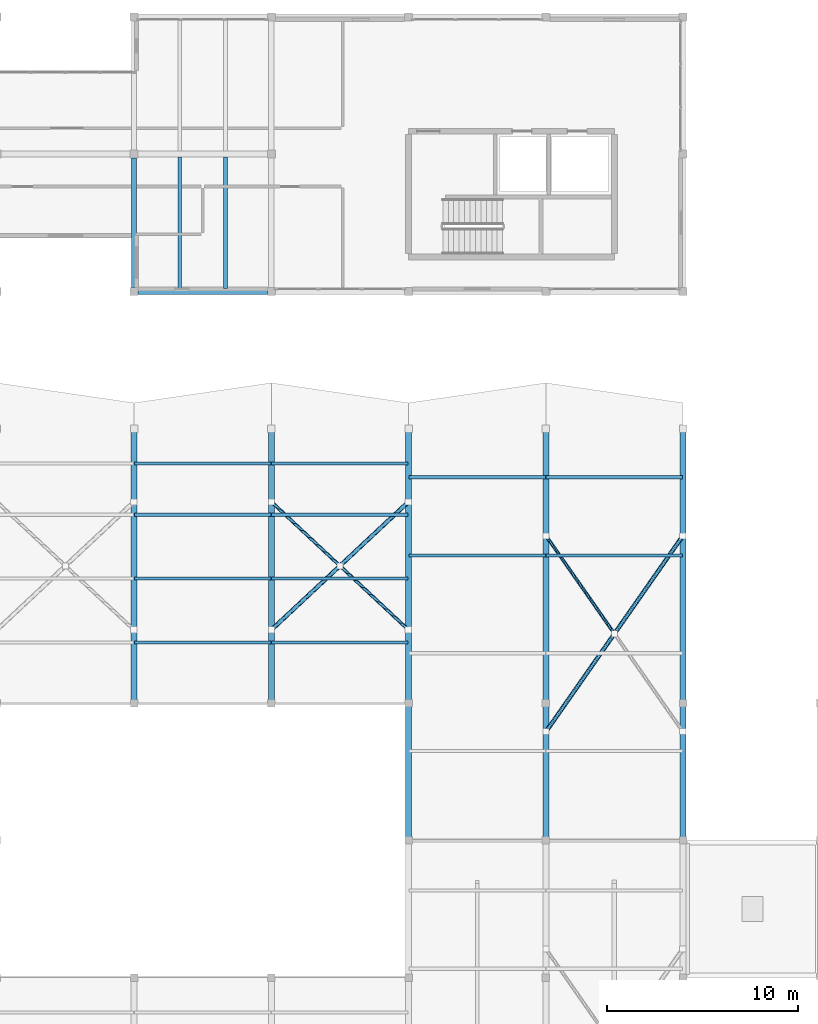
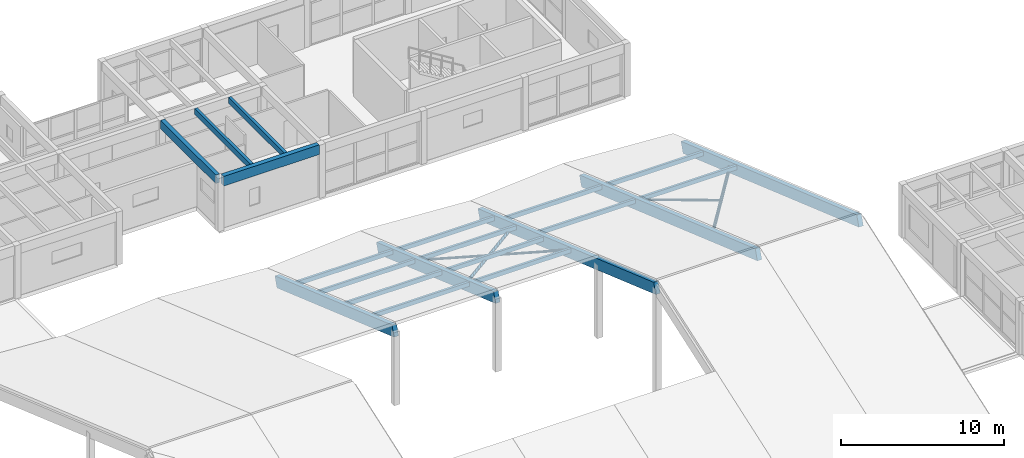
# One storey, part 31 of 68: 17 members, 9 beams.
"""IFC4 building model written with IfcOpenShell, lengths in metres."""

from ifc_helpers import new_model, si_unit, direction, frame, origin, origin_2d, place, context, subcontext, project, spatial, rectangle, hollow_circle, extrude, material, material_profile, profile_set, type_object, element, save


model = new_model("IFC4")

# Units and contexts
model_context = context("Model", 3, precision=1e-05, world=origin(), true_north=direction((0.0, 1.0)))
body_context = subcontext(model_context, "Body", "Model", "MODEL_VIEW")
ifc_project = project(units=[si_unit("LENGTHUNIT", "METRE"), si_unit("AREAUNIT", "SQUARE_METRE"), si_unit("VOLUMEUNIT", "CUBIC_METRE"), si_unit("PLANEANGLEUNIT", "RADIAN"), si_unit("MASSUNIT", "GRAM", prefix="KILO")], contexts=[model_context])

# Site, building, storey
site_placement = place(None, origin())
site = spatial("IfcSite", under=ifc_project, at=site_placement, CompositionType="ELEMENT")
building_placement = place(site_placement, origin())
building = spatial("IfcBuilding", under=site, at=building_placement, Name="Bramvelor Terrace Health Centre", CompositionType="ELEMENT")
storey_placement = place(building_placement, frame((0.0, 0.0, 9.300048828125)))
storey = spatial("IfcBuildingStorey", under=building, at=storey_placement, Name="L03", CompositionType="ELEMENT", Elevation=9.300048828125)

# Beams
ifc_material_1 = material(Name="Glulam GL28h", Category="wood")
ifc_material_profile_1 = material_profile(ifc_material_1, rectangle(XDim=0.280029296875, YDim=0.639892578125, at=origin_2d()), Name="GL 280x640")
ifc_profile_set_1 = profile_set([ifc_material_profile_1], Name="Glulam GL28h")
beam_type_1 = type_object("IfcBeamType", Name="BM-GL-G640", PredefinedType="BEAM", material=ifc_profile_set_1)
beam_1_placement = place(storey_placement, frame((64.800048828125, 86.610107421875, 3.669921875), z_axis=(0.0, 1.0, 0.0), x_axis=(-1.0, 0.0, 0.0)))
element("IfcBeam", 1, at=beam_1_placement, inside=storey, type_object=beam_type_1, Name="L03 Floor Girder", PredefinedType="BEAM", context=body_context, shape_type="SweptSolid", body=[
    extrude(rectangle(XDim=0.280029296875, YDim=0.639892578125, at=origin_2d()), origin(), (0.0, 0.0, 1.0), 6.77978515625),
])
ifc_material_2 = material(Name="Glulam GL28h", Category="wood")
ifc_material_profile_2 = material_profile(ifc_material_2, rectangle(XDim=0.320068359375, YDim=0.719970703125, at=origin_2d()), Name="GL 320x720")
ifc_profile_set_2 = profile_set([ifc_material_profile_2], Name="Glulam GL28h")
beam_type_2 = type_object("IfcBeamType", Name="BM-GL-G720", PredefinedType="BEAM", material=ifc_profile_set_2)
beam_2_placement = place(storey_placement, frame((65.010009765625, 86.39990234375, 3.6298828125), z_axis=(1.0, 0.0, 0.0), x_axis=(0.0, 1.0, 0.0)))
element("IfcBeam", 2, at=beam_2_placement, inside=storey, type_object=beam_type_2, Name="L03 Floor Girder", PredefinedType="BEAM", context=body_context, shape_type="SweptSolid", body=[
    extrude(rectangle(XDim=0.320068359375, YDim=0.719970703125, at=origin_2d()), origin(), (0.0, 0.0, 1.0), 6.780029296875),
])
ifc_material_3 = material(Name="Glulam GL28h", Category="wood")
ifc_material_profile_3 = material_profile(ifc_material_3, rectangle(XDim=0.199951171875, YDim=0.43994140625, at=origin_2d()), Name="GL 200x440")
ifc_profile_set_3 = profile_set([ifc_material_profile_3], Name="Glulam GL28h")
beam_type_3 = type_object("IfcBeamType", Name="BM-GL-J440", PredefinedType="JOIST", material=ifc_profile_set_3)
for number, where, z_axis, x_axis, name in (
    (3, (67.199951171875, 86.56005859375, 3.77001953125), (0.0, 1.0, 0.0), (-1.0, 0.0, 0.0), "L03 Secondary Floor Joist"),
    (4, (69.60009765625, 86.56005859375, 3.77001953125), (0.0, 1.0, 0.0), (-1.0, 0.0, 0.0), "L03 Secondary Floor Joist"),
):
    element("IfcBeam", number, at=place(storey_placement, frame(where, z_axis=z_axis, x_axis=x_axis)), inside=storey, type_object=beam_type_3, Name=name, PredefinedType="JOIST", context=body_context, shape_type="SweptSolid", body=[
        extrude(rectangle(XDim=0.199951171875, YDim=0.43994140625, at=origin_2d()), origin(), (0.0, 0.0, 1.0), 6.8798828125),
    ])
ifc_material_4 = material(Name="Glulam GL28h", Category="wood")
ifc_material_profile_4 = material_profile(ifc_material_4, rectangle(XDim=0.320068359375, YDim=0.800048828125, at=origin_2d()), Name="GL 320x800")
ifc_profile_set_4 = profile_set([ifc_material_profile_4], Name="Glulam GL28h")
beam_type_4 = type_object("IfcBeamType", Name="BM-GL-RCH800", PredefinedType="BEAM", material=ifc_profile_set_4)
for number, where, z_axis, x_axis, name in (
    (5, (64.800048828125, 64.800048828125, 5.53173828125), (0.0, 0.943856859467, -0.33035470155), (-1.0, 0.0, 0.0), "Folded-Plate North Principal Glulam Chord 4"),
    (6, (72.0, 64.800048828125, 5.53173828125), (0.0, 0.943856859467, -0.33035470155), (-1.0, 0.0, 0.0), "Folded-Plate North Principal Glulam Chord 5"),
):
    element("IfcBeam", number, at=place(storey_placement, frame(where, z_axis=z_axis, x_axis=x_axis)), inside=storey, type_object=beam_type_4, Name=name, PredefinedType="BEAM", context=body_context, shape_type="SweptSolid", body=[
        extrude(rectangle(XDim=0.320068359375, YDim=0.800048828125, at=origin_2d()), origin(), (0.0, 0.0, 1.0), 15.25634765625),
    ])
for number, where, z_axis, x_axis, name in (
    (7, (79.199951171875, 57.60009765625, 8.0517578125), (0.0, 0.943856859467, -0.33035470155), (-1.0, 0.0, 0.0), "Folded-Plate North Principal Glulam Chord 6"),
    (8, (86.39990234375, 57.60009765625, 8.0517578125), (0.0, 0.943856859467, -0.33035470155), (-1.0, 0.0, 0.0), "Folded-Plate North Principal Glulam Chord 7"),
    (9, (93.60009765625, 57.60009765625, 8.0517578125), (0.0, 0.943856859467, -0.33035470155), (-1.0, 0.0, 0.0), "Folded-Plate North Principal Glulam Chord 8"),
):
    element("IfcBeam", number, at=place(storey_placement, frame(where, z_axis=z_axis, x_axis=x_axis)), inside=storey, type_object=beam_type_4, Name=name, PredefinedType="BEAM", context=body_context, shape_type="SweptSolid", body=[
        extrude(rectangle(XDim=0.320068359375, YDim=0.800048828125, at=origin_2d()), origin(), (0.0, 0.0, 1.0), 22.884765625),
    ])

# Members
ifc_material_5 = material(Name="Glulam GL28h", Category="wood")
ifc_material_profile_5 = material_profile(ifc_material_5, rectangle(XDim=0.159912109375, YDim=0.320068359375, at=origin_2d()), Name="GL 160x320")
ifc_profile_set_5 = profile_set([ifc_material_profile_5], Name="Glulam GL28h")
member_type_1 = type_object("IfcMemberType", Name="MEM-GL-PUR320", PredefinedType="PURLIN", material=ifc_profile_set_5)
for number, where, z_axis, x_axis, name in (
    (10, (64.820068359375, 67.97998046875, 4.64501953125), (1.0, 0.0, 0.0), (0.0, 1.0, 0.0), "Folded-Plate Roof Purlin N4-1"),
    (11, (64.820068359375, 71.330078125, 3.472412109375), (1.0, 0.0, 0.0), (0.0, 1.0, 0.0), "Folded-Plate Roof Purlin N4-2"),
    (12, (64.820068359375, 74.679931640625, 2.300048828125), (1.0, 0.0, 0.0), (0.0, 1.0, 0.0), "Folded-Plate Roof Purlin N4-3"),
    (13, (64.820068359375, 77.360107421875, 1.362060546875), (1.0, 0.0, 0.0), (0.0, 1.0, 0.0), "Folded-Plate Roof Purlin N4-4"),
    (14, (72.02001953125, 67.97998046875, 4.64501953125), (1.0, 0.0, 0.0), (0.0, 1.0, 0.0), "Folded-Plate Roof Purlin N5-1"),
    (15, (72.02001953125, 71.330078125, 3.472412109375), (1.0, 0.0, 0.0), (0.0, 1.0, 0.0), "Folded-Plate Roof Purlin N5-2"),
    (16, (72.02001953125, 74.679931640625, 2.300048828125), (1.0, 0.0, 0.0), (0.0, 1.0, 0.0), "Folded-Plate Roof Purlin N5-3"),
    (17, (72.02001953125, 77.360107421875, 1.362060546875), (1.0, 0.0, 0.0), (0.0, 1.0, 0.0), "Folded-Plate Roof Purlin N5-4"),
    (18, (79.219970703125, 72.5439453125, 3.047607421875), (1.0, 0.0, 0.0), (0.0, 1.0, 0.0), "Folded-Plate Roof Purlin N6-3"),
    (19, (79.219970703125, 76.64794921875, 1.611083984375), (1.0, 0.0, 0.0), (0.0, 1.0, 0.0), "Folded-Plate Roof Purlin N6-4"),
):
    element("IfcMember", number, at=place(storey_placement, frame(where, z_axis=z_axis, x_axis=x_axis)), inside=storey, type_object=member_type_1, Name=name, PredefinedType="PURLIN", context=body_context, shape_type="SweptSolid", body=[
        extrude(rectangle(XDim=0.159912109375, YDim=0.320068359375, at=origin_2d()), origin(), (0.0, 0.0, 1.0), 7.159912109375),
    ])
for number, where, z_axis, x_axis, name in (
    (20, (86.419921875, 72.5439453125, 3.047607421875), (1.0, 0.0, 0.0), (0.0, 1.0, 0.0), "Folded-Plate Roof Purlin N7-3"),
    (21, (86.419921875, 76.64794921875, 1.611083984375), (1.0, 0.0, 0.0), (0.0, 1.0, 0.0), "Folded-Plate Roof Purlin N7-4"),
):
    element("IfcMember", number, at=place(storey_placement, frame(where, z_axis=z_axis, x_axis=x_axis)), inside=storey, type_object=member_type_1, Name=name, PredefinedType="PURLIN", context=body_context, shape_type="SweptSolid", body=[
        extrude(rectangle(XDim=0.159912109375, YDim=0.320068359375, at=origin_2d()), origin(), (0.0, 0.0, 1.0), 7.16015625),
    ])
ifc_material_6 = material(Name="Steel S355J2", Category="steel")
ifc_material_profile_6 = material_profile(ifc_material_6, hollow_circle(Radius=0.084228515625, WallThickness=0.00634765625, at=origin_2d()), Name="CHS 168.3x6.3")
ifc_profile_set_6 = profile_set([ifc_material_profile_6], Name="Steel S355J2")
member_type_2 = type_object("IfcMemberType", Name="MEM-STL-CHS168", PredefinedType="BRACE", material=ifc_profile_set_6)
for number, where, z_axis, x_axis, name in (
    (22, (79.18505859375, 68.64990234375, 4.18408203125), (-0.710650335394, 0.664049501554, -0.232409897143), (-0.682744457393, -0.730657242419, 0.0), "Folded-Plate Split Wind Brace N5-2A"),
    (23, (75.518310546875, 72.076416015625, 2.98486328125), (-0.710650335394, 0.664049501554, -0.232409897143), (-0.682744457393, -0.730657242419, 0.0), "Folded-Plate Split Wind Brace N5-2B"),
):
    element("IfcMember", number, at=place(storey_placement, frame(where, z_axis=z_axis, x_axis=x_axis)), inside=storey, type_object=member_type_2, Name=name, PredefinedType="BRACE", context=body_context, shape_type="SweptSolid", body=[
        extrude(hollow_circle(Radius=0.084228515625, WallThickness=0.00634765625, at=origin_2d()), origin(), (0.0, 0.0, 1.0), 4.929931640625),
    ])
member_1_placement = place(storey_placement, frame((89.936767578125, 68.530517578125, 4.225830078125), z_axis=(-0.550605019808, 0.787909103562, -0.275741467112), x_axis=(-0.819686857762, -0.572811884663, 0.0)))
element("IfcMember", 24, at=member_1_placement, inside=storey, type_object=member_type_2, Name="Folded-Plate Split Wind Brace N7-2B", PredefinedType="BRACE", context=body_context, shape_type="SweptSolid", body=[
    extrude(hollow_circle(Radius=0.084228515625, WallThickness=0.00634765625, at=origin_2d()), origin(), (0.0, 0.0, 1.0), 6.39599609375),
])
ifc_material_7 = material(Name="Steel S355J2", Category="steel")
ifc_material_profile_7 = material_profile(ifc_material_7, hollow_circle(Radius=0.109619140625, WallThickness=0.008056640625, at=origin_2d()), Name="CHS 219.1x8.0")
ifc_profile_set_7 = profile_set([ifc_material_profile_7], Name="Steel S355J2")
member_type_3 = type_object("IfcMemberType", Name="MEM-STL-CHS219", PredefinedType="BRACE", material=ifc_profile_set_7)
member_2_placement = place(storey_placement, frame((72.014892578125, 68.64990234375, 4.18408203125), z_axis=(0.710639560739, 0.664060475499, -0.232411487654), x_axis=(-0.682756007079, 0.730646449931, 0.0)))
element("IfcMember", 25, at=member_2_placement, inside=storey, type_object=member_type_3, Name="Folded-Plate Continuous Wind Brace N5-1", PredefinedType="BRACE", context=body_context, shape_type="SweptSolid", body=[
    extrude(hollow_circle(Radius=0.109619140625, WallThickness=0.008056640625, at=origin_2d()), origin(), (0.0, 0.0, 1.0), 10.08984375),
])
member_3_placement = place(storey_placement, frame((86.4150390625, 63.31005859375, 6.05322265625), z_axis=(0.550602549461, 0.787900849261, -0.275769984337), x_axis=(-0.81968524684, 0.572814189868, 0.0)))
element("IfcMember", 26, at=member_3_placement, inside=storey, type_object=member_type_3, Name="Folded-Plate Continuous Wind Brace N7-1", PredefinedType="BRACE", context=body_context, shape_type="SweptSolid", body=[
    extrude(hollow_circle(Radius=0.109619140625, WallThickness=0.008056640625, at=origin_2d()), origin(), (0.0, 0.0, 1.0), 13.02197265625),
])

save(model, "model.ifc")
